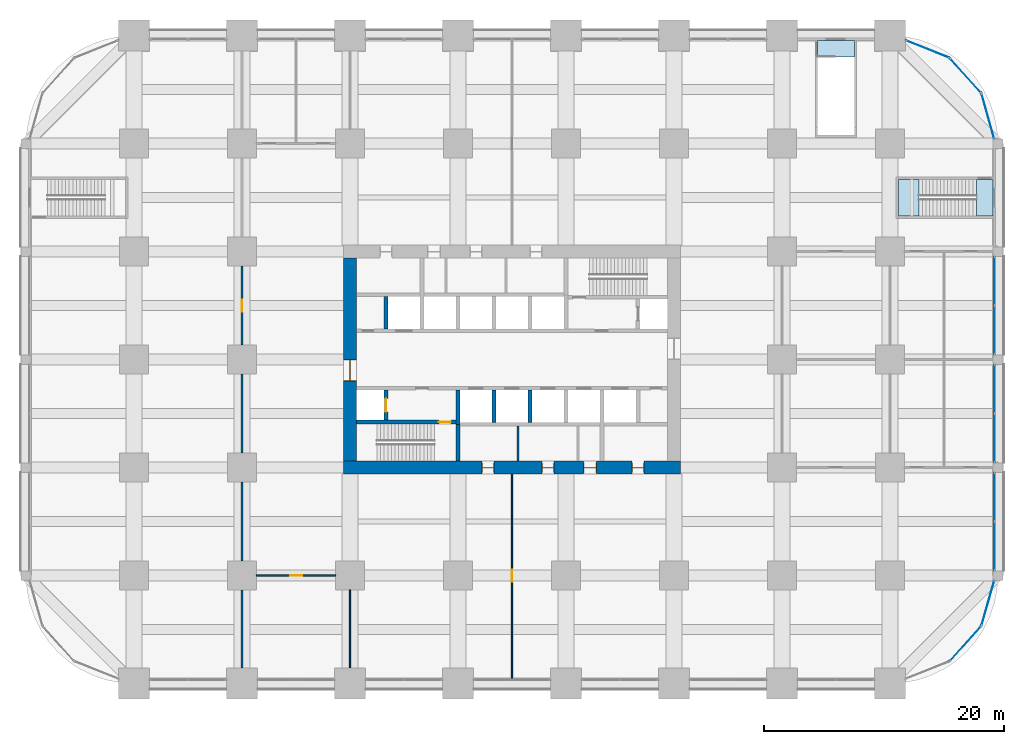
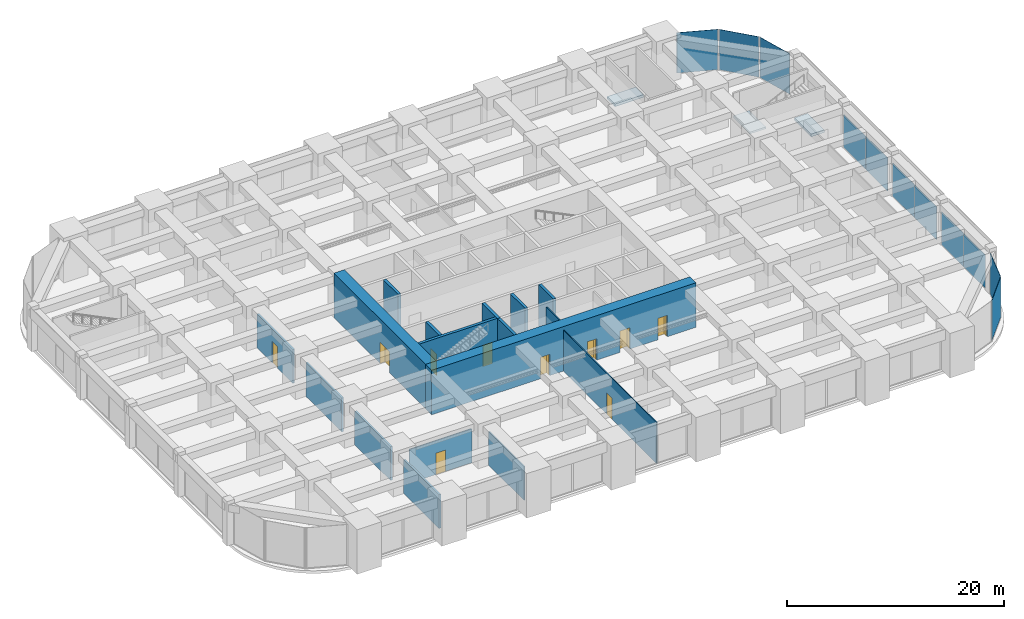
# One storey, part 41 of 46: 17 walls, 11 plates, 10 doors, 3 slabs, 10 openings, 9 elements without a shape of their own.
"""IFC4 building model written with IfcOpenShell, lengths in metres."""

from ifc_helpers import new_model, si_unit, direction, frame, frame_2d, origin, origin_2d, place, context, subcontext, project, spatial, polyline, rectangle, outline, extrude, material, layer, layer_set, type_object, element, fill, aggregate, save


model = new_model("IFC4")

# Units and contexts
model_context = context("Model", 3, precision=1e-05, world=origin(), true_north=direction((0.0, 1.0)))
body_context = subcontext(model_context, "Body", "Model", "MODEL_VIEW")
ifc_project = project(units=[si_unit("LENGTHUNIT", "METRE"), si_unit("AREAUNIT", "SQUARE_METRE"), si_unit("VOLUMEUNIT", "CUBIC_METRE"), si_unit("PLANEANGLEUNIT", "RADIAN"), si_unit("MASSUNIT", "GRAM", prefix="KILO")], contexts=[model_context])

# Site, building, storey
site_placement = place(None, origin())
site = spatial("IfcSite", under=ifc_project, at=site_placement, CompositionType="ELEMENT")
building_placement = place(site_placement, origin())
building = spatial("IfcBuilding", under=site, at=building_placement, Name="Zorevar Civic Tower", CompositionType="ELEMENT")
storey_placement = place(building_placement, frame((0.0, 0.0, 10.800048828125)))
storey = spatial("IfcBuildingStorey", under=building, at=storey_placement, Name="L02", CompositionType="ELEMENT", Elevation=10.800048828125)

# Curtain wall, plates
ifc_material_1 = material(Name="Dark grey solar-control glass in black aluminium frame", Category="aluminium")
curtain_wall_type = type_object("IfcCurtainWallType", Name="Curtain wall CW1 podium", PredefinedType="NOTDEFINED", material=ifc_material_1)
curtain_wall_1_placement = place(storey_placement, origin())
curtain_wall_1 = element("IfcCurtainWall", 1, at=curtain_wall_1_placement, inside=storey, type_object=curtain_wall_type, Name="CW1 L02", PredefinedType="NOTDEFINED")
ifc_material_2 = material(Name="Dark grey solar-control glass", Category="glass")
ifc_layer_1 = layer(ifc_material_2, 0.033935546875)
ifc_layer_set_1 = layer_set([ifc_layer_1], Name="CW1 panel 34")
plate_type = type_object("IfcPlateType", Name="CW1 panel 34", PredefinedType="CURTAIN_PANEL", material=ifc_layer_set_1)
plate_1_placement = place(storey_placement, frame((71.699951171875, 11.465087890625, 0.06005859375), z_axis=(0.0, 0.0, 1.0), x_axis=(0.0, 1.0, 0.0)))
plate_1 = element("IfcPlate", 2, at=plate_1_placement, type_object=plate_type, Name="CW1 panel 1.1", PredefinedType="CURTAIN_PANEL", context=body_context, shape_type="SweptSolid", body=[
    extrude(rectangle(XDim=4.010009765625, YDim=0.033935546875, at=origin_2d()), origin(), (0.0, 0.0, 1.0), 3.739990234375),
])
plate_2_placement = place(storey_placement, frame((71.699951171875, 15.534912109375, 0.06005859375), z_axis=(0.0, 0.0, 1.0), x_axis=(0.0, 1.0, 0.0)))
plate_2 = element("IfcPlate", 3, at=plate_2_placement, type_object=plate_type, Name="CW1 panel 2.1", PredefinedType="CURTAIN_PANEL", context=body_context, shape_type="SweptSolid", body=[
    extrude(rectangle(XDim=4.010009765625, YDim=0.033935546875, at=origin_2d()), origin(), (0.0, 0.0, 1.0), 3.739990234375),
])
aggregate(curtain_wall_1, [plate_1, plate_2])

curtain_wall_2_placement = place(storey_placement, origin())
curtain_wall_2 = element("IfcCurtainWall", 4, at=curtain_wall_2_placement, inside=storey, type_object=curtain_wall_type, Name="CW1 L02", PredefinedType="NOTDEFINED")
plate_3_placement = place(storey_placement, frame((71.699951171875, 20.465087890625, 0.06005859375), z_axis=(0.0, 0.0, 1.0), x_axis=(0.0, 1.0, 0.0)))
plate_3 = element("IfcPlate", 5, at=plate_3_placement, type_object=plate_type, Name="CW1 panel 1.1", PredefinedType="CURTAIN_PANEL", context=body_context, shape_type="SweptSolid", body=[
    extrude(rectangle(XDim=4.010009765625, YDim=0.033935546875, at=origin_2d()), origin(), (0.0, 0.0, 1.0), 3.739990234375),
])
plate_4_placement = place(storey_placement, frame((71.699951171875, 24.534912109375, 0.06005859375), z_axis=(0.0, 0.0, 1.0), x_axis=(0.0, 1.0, 0.0)))
plate_4 = element("IfcPlate", 6, at=plate_4_placement, type_object=plate_type, Name="CW1 panel 2.1", PredefinedType="CURTAIN_PANEL", context=body_context, shape_type="SweptSolid", body=[
    extrude(rectangle(XDim=4.010009765625, YDim=0.033935546875, at=origin_2d()), origin(), (0.0, 0.0, 1.0), 3.739990234375),
])
aggregate(curtain_wall_2, [plate_3, plate_4])

curtain_wall_3_placement = place(storey_placement, origin())
curtain_wall_3 = element("IfcCurtainWall", 7, at=curtain_wall_3_placement, inside=storey, type_object=curtain_wall_type, Name="CW1 L02", PredefinedType="NOTDEFINED")
plate_5_placement = place(storey_placement, frame((71.699951171875, 29.465087890625, 0.06005859375), z_axis=(0.0, 0.0, 1.0), x_axis=(0.0, 1.0, 0.0)))
plate_5 = element("IfcPlate", 8, at=plate_5_placement, type_object=plate_type, Name="CW1 panel 1.1", PredefinedType="CURTAIN_PANEL", context=body_context, shape_type="SweptSolid", body=[
    extrude(rectangle(XDim=4.010009765625, YDim=0.033935546875, at=origin_2d()), origin(), (0.0, 0.0, 1.0), 3.739990234375),
])
plate_6_placement = place(storey_placement, frame((71.699951171875, 33.534912109375, 0.06005859375), z_axis=(0.0, 0.0, 1.0), x_axis=(0.0, 1.0, 0.0)))
plate_6 = element("IfcPlate", 9, at=plate_6_placement, type_object=plate_type, Name="CW1 panel 2.1", PredefinedType="CURTAIN_PANEL", context=body_context, shape_type="SweptSolid", body=[
    extrude(rectangle(XDim=4.010009765625, YDim=0.033935546875, at=origin_2d()), origin(), (0.0, 0.0, 1.0), 3.739990234375),
])
aggregate(curtain_wall_3, [plate_5, plate_6])

# Curtain wall, plate
curtain_wall_4_placement = place(storey_placement, origin())
curtain_wall_4 = element("IfcCurtainWall", 10, at=curtain_wall_4_placement, inside=storey, type_object=curtain_wall_type, Name="CW1 L02", PredefinedType="NOTDEFINED")
plate_7_placement = place(storey_placement, frame((69.294189453125, 3.328369140625, 0.059814453125), z_axis=(0.0, 0.0, 1.0), x_axis=(0.669402758568, 0.742899688263, 0.0)))
plate_7 = element("IfcPlate", 11, at=plate_7_placement, type_object=plate_type, Name="CW1 panel 1.1", PredefinedType="CURTAIN_PANEL", context=body_context, shape_type="SweptSolid", body=[
    extrude(rectangle(XDim=3.83203125, YDim=0.033935546875, at=origin_2d()), origin(), (0.0, 0.0, 1.0), 4.5400390625),
])
aggregate(curtain_wall_4, [plate_7])

curtain_wall_5_placement = place(storey_placement, origin())
curtain_wall_5 = element("IfcCurtainWall", 12, at=curtain_wall_5_placement, inside=storey, type_object=curtain_wall_type, Name="CW1 L02", PredefinedType="NOTDEFINED")
plate_8_placement = place(storey_placement, frame((71.15380859375, 6.6982421875, 0.059814453125), z_axis=(0.0, 0.0, 1.0), x_axis=(0.271669082929, 0.962390725943, 0.0)))
plate_8 = element("IfcPlate", 13, at=plate_8_placement, type_object=plate_type, Name="CW1 panel 1.1", PredefinedType="CURTAIN_PANEL", context=body_context, shape_type="SweptSolid", body=[
    extrude(rectangle(XDim=3.83203125, YDim=0.033935546875, at=origin_2d()), origin(), (0.0, 0.0, 1.0), 4.5400390625),
])
aggregate(curtain_wall_5, [plate_8])

curtain_wall_6_placement = place(storey_placement, origin())
curtain_wall_6 = element("IfcCurtainWall", 14, at=curtain_wall_6_placement, inside=storey, type_object=curtain_wall_type, Name="CW1 L02", PredefinedType="NOTDEFINED")
plate_9_placement = place(storey_placement, frame((71.15380859375, 47.3017578125, 0.059814453125), z_axis=(0.0, 0.0, 1.0), x_axis=(-0.271669082929, 0.962390725943, 0.0)))
plate_9 = element("IfcPlate", 15, at=plate_9_placement, type_object=plate_type, Name="CW1 panel 1.1", PredefinedType="CURTAIN_PANEL", context=body_context, shape_type="SweptSolid", body=[
    extrude(rectangle(XDim=3.83203125, YDim=0.033935546875, at=origin_2d()), origin(), (0.0, 0.0, 1.0), 4.5400390625),
])
aggregate(curtain_wall_6, [plate_9])

curtain_wall_7_placement = place(storey_placement, origin())
curtain_wall_7 = element("IfcCurtainWall", 16, at=curtain_wall_7_placement, inside=storey, type_object=curtain_wall_type, Name="CW1 L02", PredefinedType="NOTDEFINED")
plate_10_placement = place(storey_placement, frame((69.294189453125, 50.671630859375, 0.059814453125), z_axis=(0.0, 0.0, 1.0), x_axis=(-0.669402758568, 0.742899688263, 0.0)))
plate_10 = element("IfcPlate", 17, at=plate_10_placement, type_object=plate_type, Name="CW1 panel 1.1", PredefinedType="CURTAIN_PANEL", context=body_context, shape_type="SweptSolid", body=[
    extrude(rectangle(XDim=3.83203125, YDim=0.033935546875, at=origin_2d()), origin(), (0.0, 0.0, 1.0), 4.5400390625),
])
aggregate(curtain_wall_7, [plate_10])

curtain_wall_8_placement = place(storey_placement, origin())
curtain_wall_8 = element("IfcCurtainWall", 18, at=curtain_wall_8_placement, inside=storey, type_object=curtain_wall_type, Name="CW1 L02", PredefinedType="NOTDEFINED")
plate_11_placement = place(storey_placement, frame((66.1357421875, 52.870849609375, 0.059814453125), z_axis=(0.0, 0.0, 1.0), x_axis=(-0.928987553289, 0.370110964218, 0.0)))
plate_11 = element("IfcPlate", 19, at=plate_11_placement, type_object=plate_type, Name="CW1 panel 1.1", PredefinedType="CURTAIN_PANEL", context=body_context, shape_type="SweptSolid", body=[
    extrude(rectangle(XDim=3.83203125, YDim=0.033935546875, at=origin_2d()), origin(), (0.0, 0.0, 1.0), 4.5400390625),
])
aggregate(curtain_wall_8, [plate_11])

# Stair, slab
ifc_material_3 = material(Name="Precast concrete C40/50", Category="concrete")
stair_type = type_object("IfcStairType", Name="Escape stair PS 34R", PredefinedType="HALF_TURN_STAIR", material=ifc_material_3)
stair_placement = place(storey_placement, origin())
stair = element("IfcStair", 20, at=stair_placement, inside=storey, type_object=stair_type, Name="Escape stair PS2 L02", PredefinedType="HALF_TURN_STAIR")
ifc_material_4 = material(Name="Concrete C40/50", Category="concrete")
ifc_layer_2 = layer(ifc_material_4, 0.199951171875)
ifc_layer_set_2 = layer_set([ifc_layer_2], Name="Stair landing 200")
slab_type_1 = type_object("IfcSlabType", Name="Stair landing 200", PredefinedType="LANDING", material=ifc_layer_set_2)
slab_1_placement = place(storey_placement, frame((0.0, 0.0, 2.300048828125)))
slab_1 = element("IfcSlab", 21, at=slab_1_placement, type_object=slab_type_1, Name="PS2 landing 1", PredefinedType="LANDING", context=body_context, shape_type="SweptSolid", body=[
    extrude(outline(polyline([(63.699951171875, 38.97509765625), (65.39990234375, 38.97509765625), (65.39990234375, 42.02490234375), (63.699951171875, 42.02490234375), (63.699951171875, 38.97509765625)])), origin(), (0.0, 0.0, 1.0), 0.199951171875),
])
aggregate(stair, [slab_1])

# Slabs
ifc_material_5 = material(Name="Concrete C40/50", Category="concrete")
ifc_layer_3 = layer(ifc_material_5, 0.300048828125)
ifc_layer_set_3 = layer_set([ifc_layer_3], Name="Stair landing 300")
slab_type_2 = type_object("IfcSlabType", Name="Stair landing 300", PredefinedType="LANDING", material=ifc_layer_set_3)
slab_2_placement = place(storey_placement, frame((0.0, 0.0, -0.300048828125)))
element("IfcSlab", 22, at=slab_2_placement, inside=storey, type_object=slab_type_2, Name="Stair PS2 floor landing L02", PredefinedType="LANDING", context=body_context, shape_type="SweptSolid", body=[
    extrude(outline(polyline([(70.199951171875, 38.97509765625), (71.60009765625, 38.97509765625), (71.60009765625, 42.02490234375), (70.199951171875, 42.02490234375), (70.199951171875, 38.97509765625)])), origin(), (0.0, 0.0, 1.0), 0.300048828125),
])
slab_3_placement = place(storey_placement, frame((0.0, 0.0, -0.300048828125)))
element("IfcSlab", 23, at=slab_3_placement, inside=storey, type_object=slab_type_2, Name="Stair PS3 floor landing L02", PredefinedType="LANDING", context=body_context, shape_type="SweptSolid", body=[
    extrude(outline(polyline([(56.97509765625, 52.199951171875), (60.02490234375, 52.199951171875), (60.02490234375, 53.60009765625), (56.97509765625, 53.60009765625), (56.97509765625, 52.199951171875)])), origin(), (0.0, 0.0, 1.0), 0.300048828125),
])

# Walls
ifc_material_6 = material(Name="Concrete blockwork", Category="masonry")
ifc_layer_4 = layer(ifc_material_6, 0.199951171875)
ifc_layer_set_4 = layer_set([ifc_layer_4], Name="Blockwork wall 200")
wall_type_1 = type_object("IfcWallType", Name="Blockwork wall 200", PredefinedType="SOLIDWALL", material=ifc_layer_set_4)
wall_1_placement = place(storey_placement, frame((9.0, 1.300048828125, 0.0), z_axis=(0.0, 0.0, 1.0), x_axis=(0.0, 1.0, 0.0)))
element("IfcWall", 24, at=wall_1_placement, inside=storey, type_object=wall_type_1, Name="Blockwork wall 200 L02", PredefinedType="SOLIDWALL", context=body_context, shape_type="SweptSolid", body=[
    extrude(rectangle(XDim=6.5, YDim=0.199951171875, at=frame_2d((3.25, 0.0))), origin(), (0.0, 0.0, 1.0), 3.800048828125),
])
for number, where, z_axis, x_axis, name in (
    (25, (9.0, 10.199951171875, 0.0), (0.0, 0.0, 1.0), (0.0, 1.0, 0.0), "Blockwork wall 200 L02"),
    (26, (9.0, 19.199951171875, 0.0), (0.0, 0.0, 1.0), (0.0, 1.0, 0.0), "Blockwork wall 200 L02"),
):
    element("IfcWall", number, at=place(storey_placement, frame(where, z_axis=z_axis, x_axis=x_axis)), inside=storey, type_object=wall_type_1, Name=name, PredefinedType="SOLIDWALL", context=body_context, shape_type="SweptSolid", body=[
        extrude(rectangle(XDim=6.60009765625, YDim=0.199951171875, at=frame_2d((3.300048828125, 0.0))), origin(), (0.0, 0.0, 1.0), 3.800048828125),
    ])

# Wall, opening, door
wall_2_placement = place(storey_placement, frame((9.0, 28.199951171875, 0.0), z_axis=(0.0, 0.0, 1.0), x_axis=(0.0, 1.0, 0.0)))
wall_2 = element("IfcWall", 27, at=wall_2_placement, inside=storey, type_object=wall_type_1, Name="Blockwork wall 200 L02", PredefinedType="SOLIDWALL", context=body_context, shape_type="SweptSolid", body=[
    extrude(rectangle(XDim=6.60009765625, YDim=0.199951171875, at=frame_2d((3.300048828125, 0.0))), origin(), (0.0, 0.0, 1.0), 3.800048828125),
])
opening_1_placement = place(wall_2_placement, frame((2.800048828125, 0.0, 0.0)))
opening_1 = element("IfcOpeningElement", 28, at=opening_1_placement, cuts=wall_2, Name="Opening L02.17", PredefinedType="OPENING", context=body_context, shape_type="SweptSolid", body=[
    extrude(rectangle(XDim=1.0, YDim=2.39990234375, at=frame_2d((0.5, 1.199951171875))), frame((0.0, 0.10986328125, 0.0), z_axis=(0.0, -1.0, 0.0), x_axis=(1.0, 0.0, 0.0)), (0.0, 0.0, 1.0), 0.219970703125),
])
ifc_material_7 = material(Name="Steel door set", Category="steel")
door_type_1 = type_object("IfcDoorType", Name="Security door SD1 1000x2400", OperationType="SINGLE_SWING_LEFT", PredefinedType="DOOR", material=ifc_material_7)
door_1_placement = place(opening_1_placement, origin())
door_1 = element("IfcDoor", 29, at=door_1_placement, inside=storey, type_object=door_type_1, Name="Door L02 D1", OperationType="SINGLE_SWING_LEFT", OverallHeight=2.39990234375, OverallWidth=1.0, PredefinedType="DOOR", context=body_context, shape_type="SweptSolid", body=[
    extrude(rectangle(XDim=1.0, YDim=2.39990234375, at=frame_2d((0.5, 1.199951171875))), frame((0.0, 0.03515625, 0.0), z_axis=(0.0, -1.0, 0.0), x_axis=(1.0, 0.0, 0.0)), (0.0, 0.0, 1.0), 0.070068359375),
])
fill(opening_1, door_1)

# Wall, openings, doors
ifc_material_8 = material(Name="Concrete C50/60", Category="concrete")
ifc_layer_5 = layer(ifc_material_8, 1.10009765625)
ifc_layer_set_5 = layer_set([ifc_layer_5], Name="Core wall 1100")
wall_type_2 = type_object("IfcWallType", Name="Core wall 1100", PredefinedType="SHEAR", material=ifc_layer_set_5)
wall_3_placement = place(storey_placement, frame((17.449951171875, 18.0, 0.0), z_axis=(0.0, 0.0, 1.0), x_axis=(1.0, 0.0, 0.0)))
wall_3 = element("IfcWall", 30, at=wall_3_placement, inside=storey, type_object=wall_type_2, Name="Core wall S L02", PredefinedType="SHEAR", context=body_context, shape_type="SweptSolid", body=[
    extrude(rectangle(XDim=28.10009765625, YDim=1.10009765625, at=frame_2d((14.050048828125, 0.0))), origin(), (0.0, 0.0, 1.0), 5.0),
])
opening_2_placement = place(wall_3_placement, frame((11.550048828125, 0.0, 0.0)))
opening_2 = element("IfcOpeningElement", 31, at=opening_2_placement, cuts=wall_3, Name="Opening L02.03", PredefinedType="OPENING", context=body_context, shape_type="SweptSolid", body=[
    extrude(rectangle(XDim=1.0, YDim=2.39990234375, at=frame_2d((0.5, 1.199951171875))), frame((0.0, 0.56005859375, 0.0), z_axis=(0.0, -1.0, 0.0), x_axis=(1.0, 0.0, 0.0)), (0.0, 0.0, 1.0), 1.1201171875),
])
opening_3_placement = place(wall_3_placement, frame((16.550048828125, 0.0, 0.0)))
opening_3 = element("IfcOpeningElement", 32, at=opening_3_placement, cuts=wall_3, Name="Opening L02.04", PredefinedType="OPENING", context=body_context, shape_type="SweptSolid", body=[
    extrude(rectangle(XDim=1.0, YDim=2.39990234375, at=frame_2d((0.5, 1.199951171875))), frame((0.0, 0.56005859375, 0.0), z_axis=(0.0, -1.0, 0.0), x_axis=(1.0, 0.0, 0.0)), (0.0, 0.0, 1.0), 1.1201171875),
])
opening_4_placement = place(wall_3_placement, frame((20.0, 0.0, 0.0)))
opening_4 = element("IfcOpeningElement", 33, at=opening_4_placement, cuts=wall_3, Name="Opening L02.05", PredefinedType="OPENING", context=body_context, shape_type="SweptSolid", body=[
    extrude(rectangle(XDim=1.10009765625, YDim=2.39990234375, at=frame_2d((0.550048828125, 1.199951171875))), frame((0.0, 0.56005859375, 0.0), z_axis=(0.0, -1.0, 0.0), x_axis=(1.0, 0.0, 0.0)), (0.0, 0.0, 1.0), 1.1201171875),
])
opening_5_placement = place(wall_3_placement, frame((24.050048828125, 0.0, 0.0)))
opening_5 = element("IfcOpeningElement", 34, at=opening_5_placement, cuts=wall_3, Name="Opening L02.06", PredefinedType="OPENING", context=body_context, shape_type="SweptSolid", body=[
    extrude(rectangle(XDim=1.0, YDim=2.39990234375, at=frame_2d((0.5, 1.199951171875))), frame((0.0, 0.56005859375, 0.0), z_axis=(0.0, -1.0, 0.0), x_axis=(1.0, 0.0, 0.0)), (0.0, 0.0, 1.0), 1.1201171875),
])
ifc_material_9 = material(Name="Timber door set", Category="wood")
door_type_2 = type_object("IfcDoorType", Name="Door D1 1000x2400", OperationType="SINGLE_SWING_LEFT", PredefinedType="DOOR", material=ifc_material_9)
door_2_placement = place(opening_2_placement, origin())
door_2 = element("IfcDoor", 35, at=door_2_placement, inside=storey, type_object=door_type_2, Name="Door L02 02", OperationType="SINGLE_SWING_LEFT", OverallHeight=2.39990234375, OverallWidth=1.0, PredefinedType="DOOR", context=body_context, shape_type="SweptSolid", body=[
    extrude(rectangle(XDim=1.0, YDim=2.39990234375, at=frame_2d((0.5, 1.199951171875))), frame((0.0, 0.02490234375, 0.0), z_axis=(0.0, -1.0, 0.0), x_axis=(1.0, 0.0, 0.0)), (0.0, 0.0, 1.0), 0.050048828125),
    extrude(rectangle(XDim=0.04, YDim=2.39990234375, at=frame_2d((0.02001953125, 1.199951171875))), frame((0.0, 0.39990234375, 0.0), z_axis=(0.0, -1.0, 0.0), x_axis=(1.0, 0.0, 0.0)), (0.0, 0.0, 1.0), 0.800048828125),
    extrude(rectangle(XDim=0.04, YDim=2.39990234375, at=frame_2d((0.97998046875, 1.199951171875))), frame((0.0, 0.39990234375, 0.0), z_axis=(0.0, -1.0, 0.0), x_axis=(1.0, 0.0, 0.0)), (0.0, 0.0, 1.0), 0.800048828125),
    extrude(rectangle(XDim=1.0, YDim=0.04, at=frame_2d((0.5, 2.3798828125))), frame((0.0, 0.39990234375, 0.0), z_axis=(0.0, -1.0, 0.0), x_axis=(1.0, 0.0, 0.0)), (0.0, 0.0, 1.0), 0.800048828125),
])
fill(opening_2, door_2)
door_3_placement = place(opening_3_placement, origin())
door_3 = element("IfcDoor", 36, at=door_3_placement, inside=storey, type_object=door_type_2, Name="Door L02 03", OperationType="SINGLE_SWING_RIGHT", OverallHeight=2.39990234375, OverallWidth=1.0, PredefinedType="DOOR", context=body_context, shape_type="SweptSolid", body=[
    extrude(rectangle(XDim=1.0, YDim=2.39990234375, at=frame_2d((0.5, 1.199951171875))), frame((0.0, 0.02490234375, 0.0), z_axis=(0.0, -1.0, 0.0), x_axis=(1.0, 0.0, 0.0)), (0.0, 0.0, 1.0), 0.050048828125),
    extrude(rectangle(XDim=0.04, YDim=2.39990234375, at=frame_2d((0.02001953125, 1.199951171875))), frame((0.0, 0.39990234375, 0.0), z_axis=(0.0, -1.0, 0.0), x_axis=(1.0, 0.0, 0.0)), (0.0, 0.0, 1.0), 0.800048828125),
    extrude(rectangle(XDim=0.04, YDim=2.39990234375, at=frame_2d((0.97998046875, 1.199951171875))), frame((0.0, 0.39990234375, 0.0), z_axis=(0.0, -1.0, 0.0), x_axis=(1.0, 0.0, 0.0)), (0.0, 0.0, 1.0), 0.800048828125),
    extrude(rectangle(XDim=1.0, YDim=0.04, at=frame_2d((0.5, 2.3798828125))), frame((0.0, 0.39990234375, 0.0), z_axis=(0.0, -1.0, 0.0), x_axis=(1.0, 0.0, 0.0)), (0.0, 0.0, 1.0), 0.800048828125),
])
fill(opening_3, door_3)
door_4_placement = place(opening_5_placement, origin())
door_4 = element("IfcDoor", 37, at=door_4_placement, inside=storey, type_object=door_type_2, Name="Door L02 05", OperationType="SINGLE_SWING_RIGHT", OverallHeight=2.39990234375, OverallWidth=1.0, PredefinedType="DOOR", context=body_context, shape_type="SweptSolid", body=[
    extrude(rectangle(XDim=1.0, YDim=2.39990234375, at=frame_2d((0.5, 1.199951171875))), frame((0.0, 0.02490234375, 0.0), z_axis=(0.0, -1.0, 0.0), x_axis=(1.0, 0.0, 0.0)), (0.0, 0.0, 1.0), 0.050048828125),
    extrude(rectangle(XDim=0.04, YDim=2.39990234375, at=frame_2d((0.02001953125, 1.199951171875))), frame((0.0, 0.39990234375, 0.0), z_axis=(0.0, -1.0, 0.0), x_axis=(1.0, 0.0, 0.0)), (0.0, 0.0, 1.0), 0.800048828125),
    extrude(rectangle(XDim=0.04, YDim=2.39990234375, at=frame_2d((0.97998046875, 1.199951171875))), frame((0.0, 0.39990234375, 0.0), z_axis=(0.0, -1.0, 0.0), x_axis=(1.0, 0.0, 0.0)), (0.0, 0.0, 1.0), 0.800048828125),
    extrude(rectangle(XDim=1.0, YDim=0.04, at=frame_2d((0.5, 2.3798828125))), frame((0.0, 0.39990234375, 0.0), z_axis=(0.0, -1.0, 0.0), x_axis=(1.0, 0.0, 0.0)), (0.0, 0.0, 1.0), 0.800048828125),
])
fill(opening_5, door_4)
ifc_material_10 = material(Name="Timber door set", Category="wood")
door_type_3 = type_object("IfcDoorType", Name="Door D5 1100x2400", OperationType="SINGLE_SWING_LEFT", PredefinedType="DOOR", material=ifc_material_10)
door_5_placement = place(opening_4_placement, origin())
door_5 = element("IfcDoor", 38, at=door_5_placement, inside=storey, type_object=door_type_3, Name="Door L02 04", OperationType="SINGLE_SWING_RIGHT", OverallHeight=2.39990234375, OverallWidth=1.10009765625, PredefinedType="DOOR", context=body_context, shape_type="SweptSolid", body=[
    extrude(rectangle(XDim=1.10009765625, YDim=2.39990234375, at=frame_2d((0.550048828125, 1.199951171875))), frame((0.0, 0.02490234375, 0.0), z_axis=(0.0, -1.0, 0.0), x_axis=(1.0, 0.0, 0.0)), (0.0, 0.0, 1.0), 0.050048828125),
    extrude(rectangle(XDim=0.04, YDim=2.39990234375, at=frame_2d((0.02001953125, 1.199951171875))), frame((0.0, 0.43994140625, 0.0), z_axis=(0.0, -1.0, 0.0), x_axis=(1.0, 0.0, 0.0)), (0.0, 0.0, 1.0), 0.880126953125),
    extrude(rectangle(XDim=0.04, YDim=2.39990234375, at=frame_2d((1.080078125, 1.199951171875))), frame((0.0, 0.43994140625, 0.0), z_axis=(0.0, -1.0, 0.0), x_axis=(1.0, 0.0, 0.0)), (0.0, 0.0, 1.0), 0.880126953125),
    extrude(rectangle(XDim=1.10009765625, YDim=0.04, at=frame_2d((0.550048828125, 2.3798828125))), frame((0.0, 0.43994140625, 0.0), z_axis=(0.0, -1.0, 0.0), x_axis=(1.0, 0.0, 0.0)), (0.0, 0.0, 1.0), 0.880126953125),
])
fill(opening_4, door_5)

# Wall, opening, door
wall_4_placement = place(storey_placement, frame((18.0, 35.449951171875, 0.0), z_axis=(0.0, 0.0, 1.0), x_axis=(0.0, -1.0, 0.0)))
wall_4 = element("IfcWall", 39, at=wall_4_placement, inside=storey, type_object=wall_type_2, Name="Core wall W L02", PredefinedType="SHEAR", context=body_context, shape_type="SweptSolid", body=[
    extrude(rectangle(XDim=16.89990234375, YDim=1.10009765625, at=frame_2d((8.449951171875, 0.0))), origin(), (0.0, 0.0, 1.0), 5.0),
])
opening_6_placement = place(wall_4_placement, frame((8.449951171875, 0.0, 0.0)))
opening_6 = element("IfcOpeningElement", 40, at=opening_6_placement, cuts=wall_4, Name="Opening L02.01", PredefinedType="OPENING", context=body_context, shape_type="SweptSolid", body=[
    extrude(rectangle(XDim=1.800048828125, YDim=2.39990234375, at=frame_2d((0.89990234375, 1.199951171875))), frame((0.0, 0.56005859375, 0.0), z_axis=(0.0, -1.0, 0.0), x_axis=(1.0, 0.0, 0.0)), (0.0, 0.0, 1.0), 1.1201171875),
])
ifc_material_11 = material(Name="Steel door set", Category="steel")
door_type_4 = type_object("IfcDoorType", Name="Fire door FD2 1800x2400", OperationType="DOUBLE_DOOR_DOUBLE_SWING", PredefinedType="DOOR", material=ifc_material_11)
door_6_placement = place(opening_6_placement, origin())
door_6 = element("IfcDoor", 41, at=door_6_placement, inside=storey, type_object=door_type_4, Name="Door L02 00", OperationType="DOUBLE_DOOR_DOUBLE_SWING", OverallHeight=2.39990234375, OverallWidth=1.800048828125, PredefinedType="DOOR", context=body_context, shape_type="SweptSolid", body=[
    extrude(rectangle(XDim=1.800048828125, YDim=2.39990234375, at=frame_2d((0.89990234375, 1.199951171875))), frame((0.0, 0.030029296875, 0.0), z_axis=(0.0, -1.0, 0.0), x_axis=(1.0, 0.0, 0.0)), (0.0, 0.0, 1.0), 0.06005859375),
    extrude(rectangle(XDim=0.04, YDim=2.39990234375, at=frame_2d((0.02001953125, 1.199951171875))), frame((0.0, 0.5498046875, 0.0), z_axis=(0.0, -1.0, 0.0), x_axis=(1.0, 0.0, 0.0)), (0.0, 0.0, 1.0), 1.099609375),
    extrude(rectangle(XDim=0.04, YDim=2.39990234375, at=frame_2d((1.780029296875, 1.199951171875))), frame((0.0, 0.5498046875, 0.0), z_axis=(0.0, -1.0, 0.0), x_axis=(1.0, 0.0, 0.0)), (0.0, 0.0, 1.0), 1.099609375),
    extrude(rectangle(XDim=1.800048828125, YDim=0.04, at=frame_2d((0.89990234375, 2.3798828125))), frame((0.0, 0.5498046875, 0.0), z_axis=(0.0, -1.0, 0.0), x_axis=(1.0, 0.0, 0.0)), (0.0, 0.0, 1.0), 1.099609375),
])
fill(opening_6, door_6)

ifc_material_12 = material(Name="Laminated glass in black aluminium frame", Category="aluminium")
ifc_layer_6 = layer(ifc_material_12, 0.10009765625)
ifc_layer_set_6 = layer_set([ifc_layer_6], Name="Glazed partition 100")
wall_type_3 = type_object("IfcWallType", Name="Glazed partition 100", PredefinedType="PARTITIONING", material=ifc_layer_set_6)
wall_5_placement = place(storey_placement, frame((31.5, 0.31005859375, 0.0), z_axis=(0.0, 0.0, 1.0), x_axis=(0.0, 1.0, 0.0)))
wall_5 = element("IfcWall", 42, at=wall_5_placement, inside=storey, type_object=wall_type_3, Name="Glazed partition 100 L02", PredefinedType="PARTITIONING", context=body_context, shape_type="SweptSolid", body=[
    extrude(rectangle(XDim=17.139892578125, YDim=0.10009765625, at=frame_2d((8.56982421875, 0.0))), origin(), (0.0, 0.0, 1.0), 4.599853515625),
])
opening_7_placement = place(wall_5_placement, frame((8.18994140625, 0.0, 0.0)))
opening_7 = element("IfcOpeningElement", 43, at=opening_7_placement, cuts=wall_5, Name="Opening L02.27", PredefinedType="OPENING", context=body_context, shape_type="SweptSolid", body=[
    extrude(rectangle(XDim=1.0, YDim=2.39990234375, at=frame_2d((0.5, 1.199951171875))), frame((0.0, 0.06005859375, 0.0), z_axis=(0.0, -1.0, 0.0), x_axis=(1.0, 0.0, 0.0)), (0.0, 0.0, 1.0), 0.1201171875),
])
ifc_material_13 = material(Name="Timber door set", Category="wood")
door_type_5 = type_object("IfcDoorType", Name="Glazed door GD1 1000x2400", OperationType="SINGLE_SWING_LEFT", PredefinedType="DOOR", material=ifc_material_13)
door_7_placement = place(opening_7_placement, origin())
door_7 = element("IfcDoor", 44, at=door_7_placement, inside=storey, type_object=door_type_5, Name="Door L02 D11", OperationType="SINGLE_SWING_RIGHT", OverallHeight=2.39990234375, OverallWidth=1.0, PredefinedType="DOOR", context=body_context, shape_type="SweptSolid", body=[
    extrude(rectangle(XDim=1.0, YDim=2.39990234375, at=frame_2d((0.5, 1.199951171875))), frame((0.0, 0.02001953125, 0.0), z_axis=(0.0, -1.0, 0.0), x_axis=(1.0, 0.0, 0.0)), (0.0, 0.0, 1.0), 0.0400390625),
])
fill(opening_7, door_7)

ifc_material_14 = material(Name="Concrete C40/50", Category="concrete")
ifc_layer_7 = layer(ifc_material_14, 0.300048828125)
ifc_layer_set_7 = layer_set([ifc_layer_7], Name="Inner core wall 300")
wall_type_4 = type_object("IfcWallType", Name="Inner core wall 300", PredefinedType="SHEAR", material=ifc_layer_set_7)
wall_6_placement = place(storey_placement, frame((18.550048828125, 21.800048828125, 0.0), z_axis=(0.0, 0.0, 1.0), x_axis=(1.0, 0.0, 0.0)))
wall_6 = element("IfcWall", 45, at=wall_6_placement, inside=storey, type_object=wall_type_4, Name="Inner core wall S00 L02", PredefinedType="SHEAR", context=body_context, shape_type="SweptSolid", body=[
    extrude(rectangle(XDim=8.300048828125, YDim=0.300048828125, at=frame_2d((4.14990234375, 0.0))), origin(), (0.0, 0.0, 1.0), 5.0),
])
opening_8_placement = place(wall_6_placement, frame((6.85009765625, 0.0, 0.0)))
opening_8 = element("IfcOpeningElement", 46, at=opening_8_placement, cuts=wall_6, Name="Opening L02.11", PredefinedType="OPENING", context=body_context, shape_type="SweptSolid", body=[
    extrude(rectangle(XDim=1.0, YDim=2.39990234375, at=frame_2d((0.5, 1.199951171875))), frame((0.0, 0.159912109375, 0.0), z_axis=(0.0, -1.0, 0.0), x_axis=(1.0, 0.0, 0.0)), (0.0, 0.0, 1.0), 0.320068359375),
])
ifc_material_15 = material(Name="Steel door set", Category="steel")
door_type_6 = type_object("IfcDoorType", Name="Fire door FD1 1000x2400", OperationType="SINGLE_SWING_LEFT", PredefinedType="DOOR", material=ifc_material_15)
door_8_placement = place(opening_8_placement, origin())
door_8 = element("IfcDoor", 47, at=door_8_placement, inside=storey, type_object=door_type_6, Name="Door L02 10", OperationType="SINGLE_SWING_RIGHT", OverallHeight=2.39990234375, OverallWidth=1.0, PredefinedType="DOOR", context=body_context, shape_type="SweptSolid", body=[
    extrude(rectangle(XDim=1.0, YDim=2.39990234375, at=frame_2d((0.5, 1.199951171875))), frame((0.0, 0.030029296875, 0.0), z_axis=(0.0, -1.0, 0.0), x_axis=(1.0, 0.0, 0.0)), (0.0, 0.0, 1.0), 0.06005859375),
])
fill(opening_8, door_8)

# Wall
wall_7_placement = place(storey_placement, frame((27.0, 18.550048828125, 0.0), z_axis=(0.0, 0.0, 1.0), x_axis=(0.0, 1.0, 0.0)))
element("IfcWall", 48, at=wall_7_placement, inside=storey, type_object=wall_type_4, Name="Inner core wall S01 L02", PredefinedType="SHEAR", context=body_context, shape_type="SweptSolid", body=[
    extrude(rectangle(XDim=3.050048828125, YDim=0.300048828125, at=frame_2d((1.52490234375, 0.0))), origin(), (0.0, 0.0, 1.0), 5.0),
])

# Wall, opening, door
wall_8_placement = place(storey_placement, frame((21.0, 21.949951171875, 0.0), z_axis=(0.0, 0.0, 1.0), x_axis=(0.0, 1.0, 0.0)))
wall_8 = element("IfcWall", 49, at=wall_8_placement, inside=storey, type_object=wall_type_4, Name="Inner core wall S02 L02", PredefinedType="SHEAR", context=body_context, shape_type="SweptSolid", body=[
    extrude(rectangle(XDim=2.5, YDim=0.300048828125, at=frame_2d((1.25, 0.0))), origin(), (0.0, 0.0, 1.0), 5.0),
])
opening_9_placement = place(wall_8_placement, frame((0.699951171875, 0.0, 0.0)))
opening_9 = element("IfcOpeningElement", 50, at=opening_9_placement, cuts=wall_8, Name="Opening L02.FL1", PredefinedType="OPENING", context=body_context, shape_type="SweptSolid", body=[
    extrude(rectangle(XDim=1.10009765625, YDim=2.39990234375, at=frame_2d((0.550048828125, 1.199951171875))), frame((0.0, 0.159912109375, 0.0), z_axis=(0.0, -1.0, 0.0), x_axis=(1.0, 0.0, 0.0)), (0.0, 0.0, 1.0), 0.320068359375),
])
ifc_material_16 = material(Name="Steel door set", Category="steel")
door_type_7 = type_object("IfcDoorType", Name="Firefighting lift landing door LD3 1100x2400", OperationType="DOUBLE_DOOR_SLIDING", PredefinedType="DOOR", material=ifc_material_16)
door_9_placement = place(opening_9_placement, origin())
door_9 = element("IfcDoor", 51, at=door_9_placement, inside=storey, type_object=door_type_7, Name="Landing door FL1 L02", OperationType="DOUBLE_DOOR_SLIDING", OverallHeight=2.39990234375, OverallWidth=1.10009765625, PredefinedType="DOOR", context=body_context, shape_type="SweptSolid", body=[
    extrude(rectangle(XDim=1.10009765625, YDim=2.39990234375, at=frame_2d((0.550048828125, 1.199951171875))), frame((0.0, 0.030029296875, 0.0), z_axis=(0.0, -1.0, 0.0), x_axis=(1.0, 0.0, 0.0)), (0.0, 0.0, 1.0), 0.06005859375),
])
fill(opening_9, door_9)

# Walls
for number, where, z_axis, x_axis, name in (
    (52, (30.0, 21.75, 0.0), (0.0, 0.0, 1.0), (0.0, 1.0, 0.0), "Inner core wall S05 L02"),
    (53, (33.0, 21.75, 0.0), (0.0, 0.0, 1.0), (0.0, 1.0, 0.0), "Inner core wall S06 L02"),
    (54, (21.0, 29.550048828125, 0.0), (0.0, 0.0, 1.0), (0.0, 1.0, 0.0), "Inner core wall N09 L02"),
):
    element("IfcWall", number, at=place(storey_placement, frame(where, z_axis=z_axis, x_axis=x_axis)), inside=storey, type_object=wall_type_4, Name=name, PredefinedType="SHEAR", context=body_context, shape_type="SweptSolid", body=[
        extrude(rectangle(XDim=2.699951171875, YDim=0.300048828125, at=frame_2d((1.35009765625, 0.0))), origin(), (0.0, 0.0, 1.0), 5.0),
    ])
wall_9_placement = place(storey_placement, frame((27.0, 21.60009765625, 0.0), z_axis=(0.0, 0.0, 1.0), x_axis=(0.0, 1.0, 0.0)))
element("IfcWall", 55, at=wall_9_placement, inside=storey, type_object=wall_type_4, Name="Inner core wall S10 L02", PredefinedType="SHEAR", context=body_context, shape_type="SweptSolid", body=[
    extrude(rectangle(XDim=2.849853515625, YDim=0.300048828125, at=frame_2d((1.4248046875, 0.0))), origin(), (0.0, 0.0, 1.0), 5.0),
])

# Wall, opening, door
ifc_material_17 = material(Name="Gypsum board on steel studs", Category="steel")
ifc_layer_8 = layer(ifc_material_17, 0.1201171875)
ifc_layer_set_8 = layer_set([ifc_layer_8], Name="Partition 120")
wall_type_5 = type_object("IfcWallType", Name="Partition 120", PredefinedType="PARTITIONING", material=ifc_layer_set_8)
wall_10_placement = place(storey_placement, frame((10.199951171875, 9.0, 0.0), z_axis=(0.0, 0.0, 1.0), x_axis=(1.0, 0.0, 0.0)))
wall_10 = element("IfcWall", 56, at=wall_10_placement, inside=storey, type_object=wall_type_5, Name="Partition 120 L02", PredefinedType="PARTITIONING", context=body_context, shape_type="SweptSolid", body=[
    extrude(rectangle(XDim=6.60009765625, YDim=0.1201171875, at=frame_2d((3.300048828125, 0.0))), origin(), (0.0, 0.0, 1.0), 3.800048828125),
])
opening_10_placement = place(wall_10_placement, frame((2.800048828125, 0.0, 0.0)))
opening_10 = element("IfcOpeningElement", 57, at=opening_10_placement, cuts=wall_10, Name="Opening L02.18", PredefinedType="OPENING", context=body_context, shape_type="SweptSolid", body=[
    extrude(rectangle(XDim=1.0, YDim=2.39990234375, at=frame_2d((0.5, 1.199951171875))), frame((0.0, 0.070068359375, 0.0), z_axis=(0.0, -1.0, 0.0), x_axis=(1.0, 0.0, 0.0)), (0.0, 0.0, 1.0), 0.14013671875),
])
door_10_placement = place(opening_10_placement, origin())
door_10 = element("IfcDoor", 58, at=door_10_placement, inside=storey, type_object=door_type_2, Name="Door L02 D2", OperationType="SINGLE_SWING_RIGHT", OverallHeight=2.39990234375, OverallWidth=1.0, PredefinedType="DOOR", context=body_context, shape_type="SweptSolid", body=[
    extrude(rectangle(XDim=1.0, YDim=2.39990234375, at=frame_2d((0.5, 1.199951171875))), frame((0.0, 0.02490234375, 0.0), z_axis=(0.0, -1.0, 0.0), x_axis=(1.0, 0.0, 0.0)), (0.0, 0.0, 1.0), 0.050048828125),
])
fill(opening_10, door_10)

# Walls
wall_11_placement = place(storey_placement, frame((18.0, 1.300048828125, 0.0), z_axis=(0.0, 0.0, 1.0), x_axis=(0.0, 1.0, 0.0)))
element("IfcWall", 59, at=wall_11_placement, inside=storey, type_object=wall_type_5, Name="Partition 120 L02", PredefinedType="PARTITIONING", context=body_context, shape_type="SweptSolid", body=[
    extrude(rectangle(XDim=6.5, YDim=0.1201171875, at=frame_2d((3.25, 0.0))), origin(), (0.0, 0.0, 1.0), 3.800048828125),
])
ifc_material_18 = material(Name="Gypsum board on steel studs, moisture resistant", Category="steel")
ifc_layer_9 = layer(ifc_material_18, 0.14990234375)
ifc_layer_set_9 = layer_set([ifc_layer_9], Name="WC partition 150")
wall_type_6 = type_object("IfcWallType", Name="WC partition 150", PredefinedType="PARTITIONING", material=ifc_layer_set_9)
wall_12_placement = place(storey_placement, frame((32.0, 18.550048828125, 0.0), z_axis=(0.0, 0.0, 1.0), x_axis=(0.0, 1.0, 0.0)))
element("IfcWall", 60, at=wall_12_placement, inside=storey, type_object=wall_type_6, Name="WC partition L02", PredefinedType="PARTITIONING", context=body_context, shape_type="SweptSolid", body=[
    extrude(rectangle(XDim=2.89990234375, YDim=0.14990234375, at=frame_2d((1.449951171875, 0.0))), origin(), (0.0, 0.0, 1.0), 4.599853515625),
])

save(model, "model.ifc")
